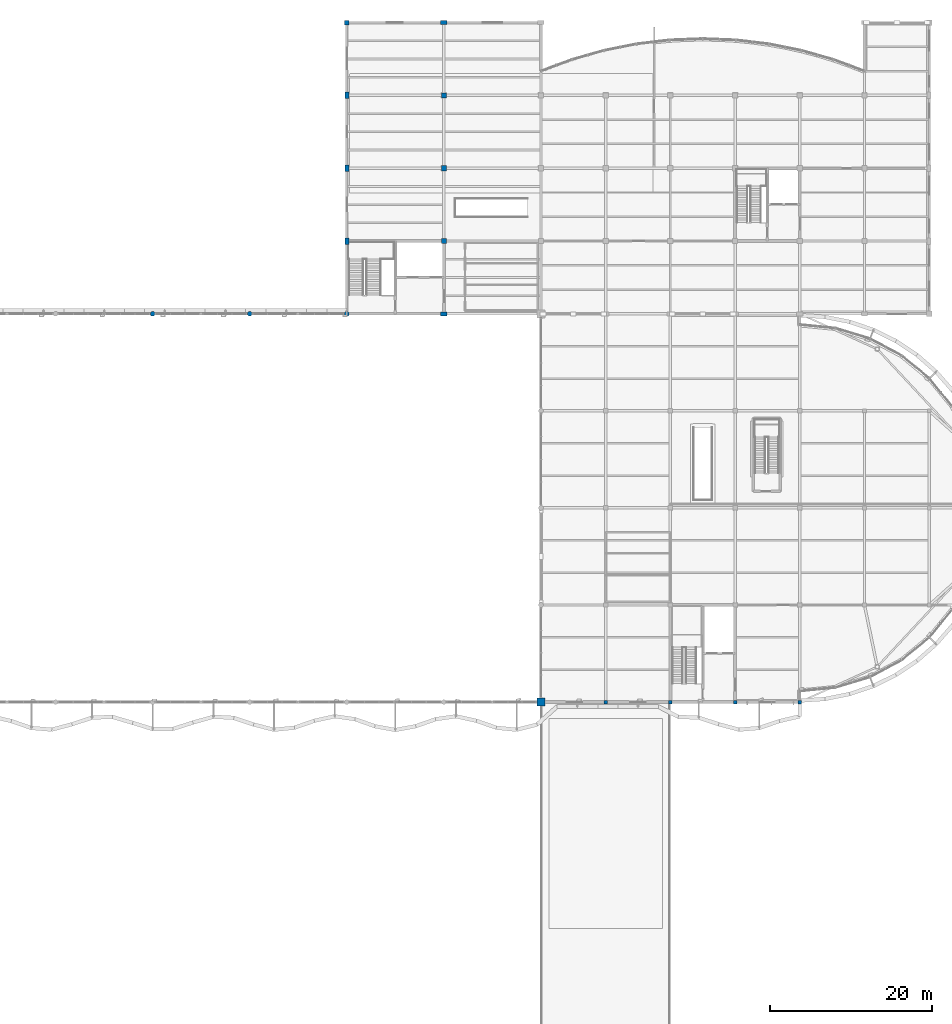
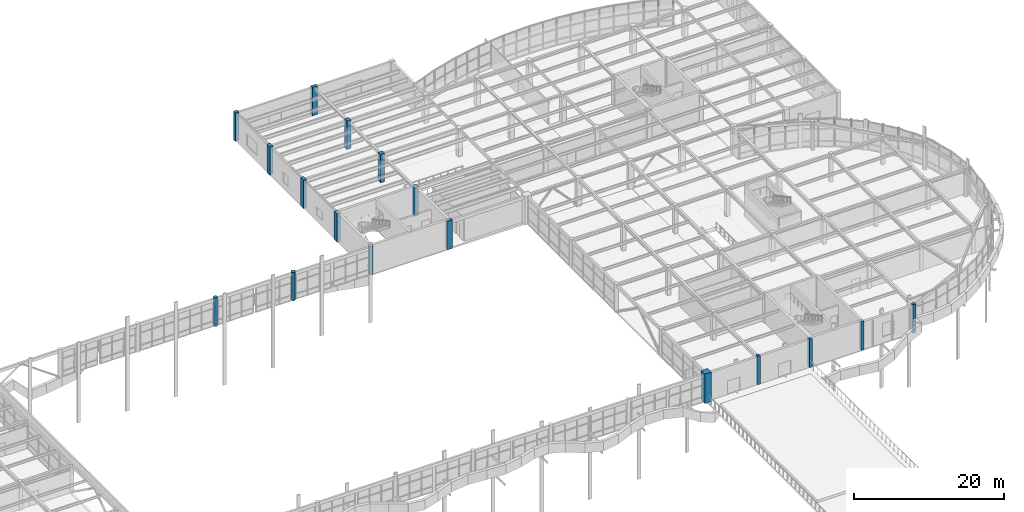
# One storey, part 5 of 63: 17 columns.
"""IFC4 building model written with IfcOpenShell, lengths in metres."""

from ifc_helpers import new_model, si_unit, direction, frame, origin, origin_2d, place, context, subcontext, project, spatial, rectangle, circle, extrude, material, material_profile, profile_set, type_object, element, save


model = new_model("IFC4")

# Units and contexts
model_context = context("Model", 3, precision=1e-05, world=origin(), true_north=direction((0.0, 1.0)))
body_context = subcontext(model_context, "Body", "Model", "MODEL_VIEW")
ifc_project = project(units=[si_unit("LENGTHUNIT", "METRE"), si_unit("AREAUNIT", "SQUARE_METRE"), si_unit("VOLUMEUNIT", "CUBIC_METRE"), si_unit("PLANEANGLEUNIT", "RADIAN"), si_unit("MASSUNIT", "GRAM", prefix="KILO")], contexts=[model_context])

# Site, building, storey
site_placement = place(None, origin())
site = spatial("IfcSite", under=ifc_project, at=site_placement, CompositionType="ELEMENT")
building_placement = place(site_placement, origin())
building = spatial("IfcBuilding", under=site, at=building_placement, Name="Keelwater Ferry Terminal", CompositionType="ELEMENT")
storey_placement = place(building_placement, frame((0.0, 0.0, 10.199951171875)))
storey = spatial("IfcBuildingStorey", under=building, at=storey_placement, Name="L02", CompositionType="ELEMENT", Elevation=10.199951171875)

# Columns
ifc_material_1 = material(Name="Concrete C45/55", Category="concrete")
ifc_material_profile_1 = material_profile(ifc_material_1, rectangle(XDim=0.64990234375, YDim=0.64990234375, at=origin_2d()), Name="RC 650x650")
ifc_profile_set_1 = profile_set([ifc_material_profile_1], Name="Concrete C45/55")
column_type_1 = type_object("IfcColumnType", Name="C3 RC 650x650", PredefinedType="COLUMN", material=ifc_profile_set_1)
for number, where, z_axis, x_axis, name in (
    (1, (120.0, 99.0, 0.0), (0.0, 0.0, 1.0), (1.0, 0.0, 0.0), "Column CL-L02-0211"),
    (2, (120.0, 108.0, 0.0), (0.0, 0.0, 1.0), (1.0, 0.0, 0.0), "Column CL-L02-0217"),
    (3, (120.0, 117.0, 0.0), (0.0, 0.0, 1.0), (1.0, 0.0, 0.0), "Column CL-L02-0223"),
):
    element("IfcColumn", number, at=place(storey_placement, frame(where, z_axis=z_axis, x_axis=x_axis)), inside=storey, type_object=column_type_1, Name=name, PredefinedType="COLUMN", context=body_context, shape_type="SweptSolid", body=[
        extrude(rectangle(XDim=0.64990234375, YDim=0.64990234375, at=origin_2d()), origin(), (0.0, 0.0, 1.0), 4.64013671875),
    ])
ifc_material_2 = material(Name="Concrete C45/55", Category="concrete")
ifc_material_profile_2 = material_profile(ifc_material_2, rectangle(XDim=0.550048828125, YDim=0.550048828125, at=origin_2d()), Name="RC 550x550")
ifc_profile_set_2 = profile_set([ifc_material_profile_2], Name="Concrete C45/55")
column_type_2 = type_object("IfcColumnType", Name="C4E RC 550x550", PredefinedType="COLUMN", material=ifc_profile_set_2)
column_1_placement = place(storey_placement, frame((108.0, 126.0, 0.0), z_axis=(0.0, 0.0, 1.0), x_axis=(1.0, 0.0, 0.0)))
element("IfcColumn", 4, at=column_1_placement, inside=storey, type_object=column_type_2, Name="Column CL-L02-0195", PredefinedType="COLUMN", context=body_context, shape_type="SweptSolid", body=[
    extrude(rectangle(XDim=0.550048828125, YDim=0.550048828125, at=origin_2d()), origin(), (0.0, 0.0, 1.0), 4.64013671875),
])
ifc_material_3 = material(Name="Concrete C45/55", Category="concrete")
ifc_material_profile_3 = material_profile(ifc_material_3, rectangle(XDim=0.449951171875, YDim=0.449951171875, at=origin_2d()), Name="RC 450x450")
ifc_profile_set_3 = profile_set([ifc_material_profile_3], Name="Concrete C45/55")
column_type_3 = type_object("IfcColumnType", Name="C5 RC 450x450", PredefinedType="COLUMN", material=ifc_profile_set_3)
for number, where, z_axis, x_axis, name in (
    (5, (140.0, 42.0, 0.0), (0.0, 0.0, 1.0), (1.0, 0.0, 0.0), "Column CL-L02-0293"),
    (6, (148.0, 42.0, 0.0), (0.0, 0.0, 1.0), (1.0, 0.0, 0.0), "Column CL-L02-0340"),
    (7, (156.0, 42.0, 0.0), (0.0, 0.0, 1.0), (1.0, 0.0, 0.0), "Column CL-L02-0379"),
    (8, (164.0, 42.0, 0.0), (0.0, 0.0, 1.0), (1.0, 0.0, 0.0), "Column CL-L02-0418"),
):
    element("IfcColumn", number, at=place(storey_placement, frame(where, z_axis=z_axis, x_axis=x_axis)), inside=storey, type_object=column_type_3, Name=name, PredefinedType="COLUMN", context=body_context, shape_type="SweptSolid", body=[
        extrude(rectangle(XDim=0.449951171875, YDim=0.449951171875, at=origin_2d()), origin(), (0.0, 0.0, 1.0), 4.64013671875),
    ])
ifc_material_4 = material(Name="Concrete C45/55", Category="concrete")
ifc_material_profile_4 = material_profile(ifc_material_4, circle(Radius=0.300048828125, at=origin_2d()), Name="RC D600")
ifc_profile_set_4 = profile_set([ifc_material_profile_4], Name="Concrete C45/55")
column_type_4 = type_object("IfcColumnType", Name="C7 RC D600", PredefinedType="COLUMN", material=ifc_profile_set_4)
for number, where, z_axis, x_axis, name in (
    (9, (84.0, 90.0, 0.0), (0.0, 0.0, 1.0), (1.0, 0.0, 0.0), "Column CL-L02-0147"),
    (10, (96.0, 90.0, 0.0), (0.0, 0.0, 1.0), (1.0, 0.0, 0.0), "Column CL-L02-0160"),
):
    element("IfcColumn", number, at=place(storey_placement, frame(where, z_axis=z_axis, x_axis=x_axis)), inside=storey, type_object=column_type_4, Name=name, PredefinedType="COLUMN", context=body_context, shape_type="SweptSolid", body=[
        extrude(circle(Radius=0.300048828125, at=origin_2d()), origin(), (0.0, 0.0, 1.0), 4.64013671875),
    ])
ifc_material_5 = material(Name="Concrete C45/55", Category="concrete")
ifc_material_profile_5 = material_profile(ifc_material_5, circle(Radius=0.300048828125, at=origin_2d()), Name="RC D600")
ifc_profile_set_5 = profile_set([ifc_material_profile_5], Name="Concrete C45/55")
column_type_5 = type_object("IfcColumnType", Name="C7E RC D600", PredefinedType="COLUMN", material=ifc_profile_set_5)
column_2_placement = place(storey_placement, frame((108.0, 90.0, 0.0), z_axis=(0.0, 0.0, 1.0), x_axis=(1.0, 0.0, 0.0)))
element("IfcColumn", 11, at=column_2_placement, inside=storey, type_object=column_type_5, Name="Column CL-L02-0173", PredefinedType="COLUMN", context=body_context, shape_type="SweptSolid", body=[
    extrude(circle(Radius=0.300048828125, at=origin_2d()), origin(), (0.0, 0.0, 1.0), 4.64013671875),
])
ifc_material_6 = material(Name="Concrete C50/60", Category="concrete")
ifc_material_profile_6 = material_profile(ifc_material_6, rectangle(XDim=1.0, YDim=1.0, at=origin_2d()), Name="RC 1000x1000")
ifc_profile_set_6 = profile_set([ifc_material_profile_6], Name="Concrete C50/60")
column_type_6 = type_object("IfcColumnType", Name="MC1 RC 1000x1000", PredefinedType="COLUMN", material=ifc_profile_set_6)
column_3_placement = place(storey_placement, frame((132.0, 42.0, 0.0), z_axis=(0.0, 0.0, 1.0), x_axis=(1.0, 0.0, 0.0)))
element("IfcColumn", 12, at=column_3_placement, inside=storey, type_object=column_type_6, Name="Column CL-L02-0241", PredefinedType="COLUMN", context=body_context, shape_type="SweptSolid", body=[
    extrude(rectangle(XDim=1.0, YDim=1.0, at=origin_2d()), origin(), (0.0, 0.0, 1.0), 4.800048828125),
])
ifc_material_7 = material(Name="Concrete C45/55", Category="concrete")
ifc_material_profile_7 = material_profile(ifc_material_7, rectangle(XDim=0.5, YDim=0.800048828125, at=origin_2d()), Name="RC 800x500")
ifc_profile_set_7 = profile_set([ifc_material_profile_7], Name="Concrete C45/55")
column_type_7 = type_object("IfcColumnType", Name="PL2E RC 800x500", PredefinedType="PILASTER", material=ifc_profile_set_7)
for number, where, z_axis, x_axis, name in (
    (13, (108.0, 99.0, 0.0), (0.0, 0.0, 1.0), (1.0, 0.0, 0.0), "Column CL-L02-0179"),
    (14, (108.0, 108.0, 0.0), (0.0, 0.0, 1.0), (1.0, 0.0, 0.0), "Column CL-L02-0185"),
    (15, (108.0, 117.0, 0.0), (0.0, 0.0, 1.0), (1.0, 0.0, 0.0), "Column CL-L02-0191"),
    (16, (120.0, 90.0, 0.0), (0.0, 0.0, 1.0), (0.0, 1.0, 0.0), "Column CL-L02-0205"),
    (17, (120.0, 126.0, 0.0), (0.0, 0.0, 1.0), (0.0, 1.0, 0.0), "Column CL-L02-0228"),
):
    element("IfcColumn", number, at=place(storey_placement, frame(where, z_axis=z_axis, x_axis=x_axis)), inside=storey, type_object=column_type_7, Name=name, PredefinedType="PILASTER", context=body_context, shape_type="SweptSolid", body=[
        extrude(rectangle(XDim=0.5, YDim=0.800048828125, at=origin_2d()), origin(), (0.0, 0.0, 1.0), 4.64013671875),
    ])

save(model, "model.ifc")
